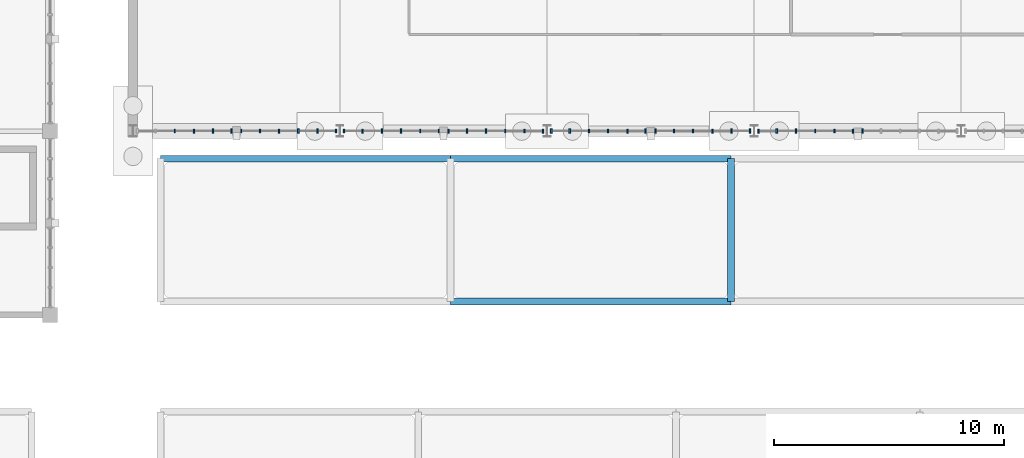
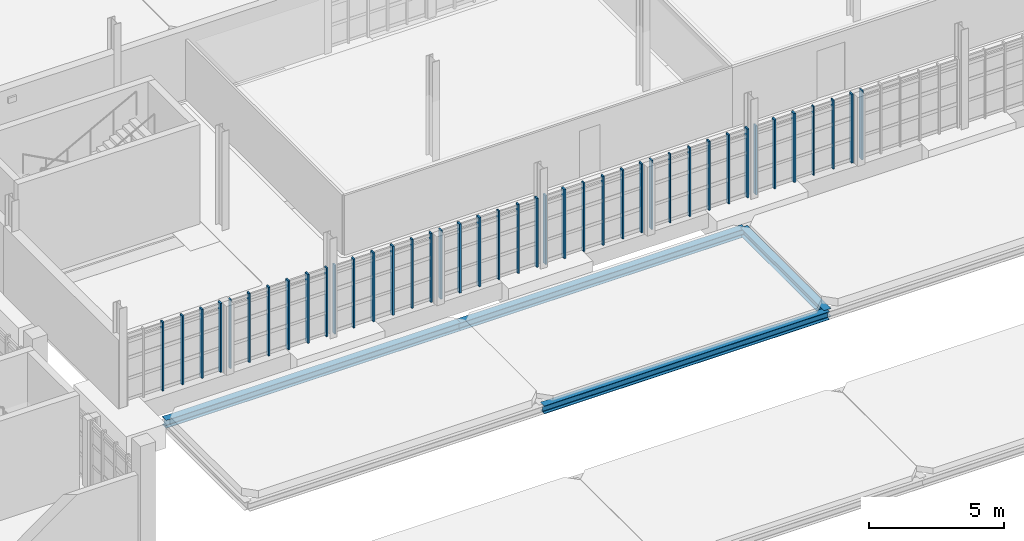
# One storey, part 29 of 125: 41 members, 4 beams, 8 elements without a shape of their own.
"""IFC4 building model written with IfcOpenShell, lengths in metres."""

from ifc_helpers import new_model, si_unit, direction, frame, origin, origin_2d, place, context, subcontext, project, spatial, rectangle, i_section, extrude, material, material_profile, profile_set, type_object, element, aggregate, save


model = new_model("IFC4")

# Units and contexts
model_context = context("Model", 3, precision=1e-05, world=origin(), true_north=direction((0.0, 1.0)))
body_context = subcontext(model_context, "Body", "Model", "MODEL_VIEW")
ifc_project = project(units=[si_unit("LENGTHUNIT", "METRE"), si_unit("AREAUNIT", "SQUARE_METRE"), si_unit("VOLUMEUNIT", "CUBIC_METRE"), si_unit("PLANEANGLEUNIT", "RADIAN"), si_unit("MASSUNIT", "GRAM", prefix="KILO")], contexts=[model_context])

# Site, building, storey
site_placement = place(None, origin())
site = spatial("IfcSite", under=ifc_project, at=site_placement, CompositionType="ELEMENT")
building_placement = place(site_placement, origin())
building = spatial("IfcBuilding", under=site, at=building_placement, Name="Serraforn Aerial Cableway Station", CompositionType="ELEMENT")
storey_placement = place(building_placement, frame((0.0, 0.0, 4.5)))
storey = spatial("IfcBuildingStorey", under=building, at=storey_placement, Name="L01", CompositionType="ELEMENT", Elevation=4.5)

# Beams
ifc_material_1 = material(Name="Steel S355JR", Category="steel")
ifc_material_profile_1 = material_profile(ifc_material_1, i_section(OverallWidth=0.300048828125, OverallDepth=0.360107421875, WebThickness=0.010009765625, FlangeThickness=0.017578125, FilletRadius=0.027099609375, at=origin_2d()), Name="HEA 360")
ifc_profile_set_1 = profile_set([ifc_material_profile_1], Name="Steel S355JR")
beam_type = type_object("IfcBeamType", Name="BM-ST-HEA360", PredefinedType="BEAM", material=ifc_profile_set_1)
beam_1_placement = place(storey_placement, frame((95.39990234375, 24.800048828125, -0.52001953125), z_axis=(1.0, 0.0, 0.0), x_axis=(0.0, 1.0, 0.0)))
element("IfcBeam", 1, at=beam_1_placement, inside=storey, type_object=beam_type, Name="Colonnade Spandrel Beam CX-1-2", PredefinedType="BEAM", context=body_context, shape_type="SweptSolid", body=[
    extrude(i_section(OverallWidth=0.300048828125, OverallDepth=0.360107421875, WebThickness=0.010009765625, FlangeThickness=0.017578125, FilletRadius=0.027099609375, at=origin_2d()), origin(), (0.0, 0.0, 1.0), 12.60009765625),
])
for number, where, z_axis, x_axis, name in (
    (2, (108.0, 18.60009765625, -0.52001953125), (1.0, 0.0, 0.0), (0.0, 1.0, 0.0), "Colonnade Spandrel Beam CX-2-1"),
    (3, (108.0, 24.800048828125, -0.52001953125), (1.0, 0.0, 0.0), (0.0, 1.0, 0.0), "Colonnade Spandrel Beam CX-2-2"),
):
    element("IfcBeam", number, at=place(storey_placement, frame(where, z_axis=z_axis, x_axis=x_axis)), inside=storey, type_object=beam_type, Name=name, PredefinedType="BEAM", context=body_context, shape_type="SweptSolid", body=[
        extrude(i_section(OverallWidth=0.300048828125, OverallDepth=0.360107421875, WebThickness=0.010009765625, FlangeThickness=0.017578125, FilletRadius=0.027099609375, at=origin_2d()), origin(), (0.0, 0.0, 1.0), 12.199951171875),
    ])
beam_2_placement = place(storey_placement, frame((120.199951171875, 18.60009765625, -0.52001953125), z_axis=(0.0, 1.0, 0.0), x_axis=(-1.0, 0.0, 0.0)))
element("IfcBeam", 4, at=beam_2_placement, inside=storey, type_object=beam_type, Name="Colonnade Cross Beam CY-3-1", PredefinedType="BEAM", context=body_context, shape_type="SweptSolid", body=[
    extrude(i_section(OverallWidth=0.300048828125, OverallDepth=0.360107421875, WebThickness=0.010009765625, FlangeThickness=0.017578125, FilletRadius=0.027099609375, at=origin_2d()), origin(), (0.0, 0.0, 1.0), 6.199951171875),
])

# Curtain wall, members
ifc_material_2 = material(Name="Anodised bronze unitised curtain wall")
curtain_wall_type_1 = type_object("IfcCurtainWallType", Name="CW-SYS-10", PredefinedType="USERDEFINED", material=ifc_material_2)
curtain_wall_1_placement = place(storey_placement, origin())
curtain_wall_1 = element("IfcCurtainWall", 5, at=curtain_wall_1_placement, inside=storey, type_object=curtain_wall_type_1, Name="Unitised Curtain Wall CW-EL-L01-S1B", ObjectType="UNITISED CURTAIN WALL", PredefinedType="USERDEFINED")
ifc_material_3 = material(Name="Anodised bronze extruded aluminium", Category="aluminium")
ifc_material_profile_2 = material_profile(ifc_material_3, rectangle(XDim=0.054931640625, YDim=0.139892578125, at=origin_2d()), Name="CW MULLION 55x140")
ifc_profile_set_2 = profile_set([ifc_material_profile_2], Name="Anodised bronze extruded aluminium")
member_type_1 = type_object("IfcMemberType", Name="CW-MUL-1", PredefinedType="MULLION", material=ifc_profile_set_2)
member_1_placement = place(storey_placement, frame((98.907470703125, 26.0, 0.0), z_axis=(0.0, 0.0, 1.0), x_axis=(1.0, 0.0, 0.0)))
member_1 = element("IfcMember", 6, at=member_1_placement, type_object=member_type_1, Name="Curtain Wall Mullion CW-EL-L01-S1B-M1", PredefinedType="MULLION", context=body_context, shape_type="SweptSolid", body=[
    extrude(rectangle(XDim=0.054931640625, YDim=0.139892578125, at=origin_2d()), origin(), (0.0, 0.0, 1.0), 3.1201171875),
])
member_2_placement = place(storey_placement, frame((103.0244140625, 26.0, 0.0), z_axis=(0.0, 0.0, 1.0), x_axis=(1.0, 0.0, 0.0)))
member_2 = element("IfcMember", 7, at=member_2_placement, type_object=member_type_1, Name="Curtain Wall Mullion CW-EL-L01-S1B-M6", PredefinedType="MULLION", context=body_context, shape_type="SweptSolid", body=[
    extrude(rectangle(XDim=0.054931640625, YDim=0.139892578125, at=origin_2d()), origin(), (0.0, 0.0, 1.0), 3.1201171875),
])

# Curtain wall, member
curtain_wall_type_2 = type_object("IfcCurtainWallType", Name="CW-SYS-11", PredefinedType="USERDEFINED", material=ifc_material_2)
curtain_wall_2_placement = place(storey_placement, origin())
curtain_wall_2 = element("IfcCurtainWall", 8, at=curtain_wall_2_placement, inside=storey, type_object=curtain_wall_type_2, Name="Unitised Curtain Wall CW-EL-L01-S2A", ObjectType="UNITISED CURTAIN WALL", PredefinedType="USERDEFINED")
member_3_placement = place(storey_placement, frame((106.685546875, 26.0, 0.0), z_axis=(0.0, 0.0, 1.0), x_axis=(1.0, 0.0, 0.0)))
member_3 = element("IfcMember", 9, at=member_3_placement, type_object=member_type_1, Name="Curtain Wall Mullion CW-EL-L01-S2A-M5", PredefinedType="MULLION", context=body_context, shape_type="SweptSolid", body=[
    extrude(rectangle(XDim=0.054931640625, YDim=0.139892578125, at=origin_2d()), origin(), (0.0, 0.0, 1.0), 3.1201171875),
])

curtain_wall_type_3 = type_object("IfcCurtainWallType", Name="CW-SYS-12", PredefinedType="USERDEFINED", material=ifc_material_2)
curtain_wall_3_placement = place(storey_placement, origin())
curtain_wall_3 = element("IfcCurtainWall", 10, at=curtain_wall_3_placement, inside=storey, type_object=curtain_wall_type_3, Name="Unitised Curtain Wall CW-EL-L01-S2B", ObjectType="UNITISED CURTAIN WALL", PredefinedType="USERDEFINED")
member_4_placement = place(storey_placement, frame((110.38330078125, 26.0, 0.0), z_axis=(0.0, 0.0, 1.0), x_axis=(1.0, 0.0, 0.0)))
member_4 = element("IfcMember", 11, at=member_4_placement, type_object=member_type_1, Name="Curtain Wall Mullion CW-EL-L01-S2B-M4", PredefinedType="MULLION", context=body_context, shape_type="SweptSolid", body=[
    extrude(rectangle(XDim=0.054931640625, YDim=0.139892578125, at=origin_2d()), origin(), (0.0, 0.0, 1.0), 3.1201171875),
])

curtain_wall_type_4 = type_object("IfcCurtainWallType", Name="CW-SYS-13", PredefinedType="USERDEFINED", material=ifc_material_2)
curtain_wall_4_placement = place(storey_placement, origin())
curtain_wall_4 = element("IfcCurtainWall", 12, at=curtain_wall_4_placement, inside=storey, type_object=curtain_wall_type_4, Name="Unitised Curtain Wall CW-EL-L01-S3A", ObjectType="UNITISED CURTAIN WALL", PredefinedType="USERDEFINED")
member_5_placement = place(storey_placement, frame((114.016845703125, 26.0, 0.0), z_axis=(0.0, 0.0, 1.0), x_axis=(1.0, 0.0, 0.0)))
member_5 = element("IfcMember", 13, at=member_5_placement, type_object=member_type_1, Name="Curtain Wall Mullion CW-EL-L01-S3A-M3", PredefinedType="MULLION", context=body_context, shape_type="SweptSolid", body=[
    extrude(rectangle(XDim=0.054931640625, YDim=0.139892578125, at=origin_2d()), origin(), (0.0, 0.0, 1.0), 3.1201171875),
])

curtain_wall_type_5 = type_object("IfcCurtainWallType", Name="CW-SYS-14", PredefinedType="USERDEFINED", material=ifc_material_2)
curtain_wall_5_placement = place(storey_placement, origin())
curtain_wall_5 = element("IfcCurtainWall", 14, at=curtain_wall_5_placement, inside=storey, type_object=curtain_wall_type_5, Name="Unitised Curtain Wall CW-EL-L01-S3B", ObjectType="UNITISED CURTAIN WALL", PredefinedType="USERDEFINED")
member_6_placement = place(storey_placement, frame((117.71435546875, 26.0, 0.0), z_axis=(0.0, 0.0, 1.0), x_axis=(1.0, 0.0, 0.0)))
member_6 = element("IfcMember", 15, at=member_6_placement, type_object=member_type_1, Name="Curtain Wall Mullion CW-EL-L01-S3B-M2", PredefinedType="MULLION", context=body_context, shape_type="SweptSolid", body=[
    extrude(rectangle(XDim=0.054931640625, YDim=0.139892578125, at=origin_2d()), origin(), (0.0, 0.0, 1.0), 3.1201171875),
])

curtain_wall_type_6 = type_object("IfcCurtainWallType", Name="CW-SYS-17", PredefinedType="USERDEFINED", material=ifc_material_2)
curtain_wall_6_placement = place(storey_placement, origin())
curtain_wall_6 = element("IfcCurtainWall", 16, at=curtain_wall_6_placement, inside=storey, type_object=curtain_wall_type_6, Name="Unitised Curtain Wall CW-EL-L01-S4A", ObjectType="UNITISED CURTAIN WALL", PredefinedType="USERDEFINED")
member_7_placement = place(storey_placement, frame((123.851318359375, 26.0, 0.0), z_axis=(0.0, 0.0, 1.0), x_axis=(1.0, 0.0, 0.0)))
member_7 = element("IfcMember", 17, at=member_7_placement, type_object=member_type_1, Name="Curtain Wall Mullion CW-EL-L01-S4A-M4", PredefinedType="MULLION", context=body_context, shape_type="SweptSolid", body=[
    extrude(rectangle(XDim=0.054931640625, YDim=0.139892578125, at=origin_2d()), origin(), (0.0, 0.0, 1.0), 3.1201171875),
])

curtain_wall_type_7 = type_object("IfcCurtainWallType", Name="CW-SYS-9", PredefinedType="USERDEFINED", material=ifc_material_2)
curtain_wall_7_placement = place(storey_placement, origin())
curtain_wall_7 = element("IfcCurtainWall", 18, at=curtain_wall_7_placement, inside=storey, type_object=curtain_wall_type_7, Name="Unitised Curtain Wall CW-EL-L01-S1A", ObjectType="UNITISED CURTAIN WALL", PredefinedType="USERDEFINED")
ifc_material_profile_3 = material_profile(ifc_material_3, rectangle(XDim=0.06005859375, YDim=0.159912109375, at=origin_2d()), Name="CW MULLION 60x160")
ifc_profile_set_3 = profile_set([ifc_material_profile_3], Name="Anodised bronze extruded aluminium")
member_type_2 = type_object("IfcMemberType", Name="CW-MUL-2", PredefinedType="MULLION", material=ifc_profile_set_3)
member_8_placement = place(storey_placement, frame((96.016845703125, 26.0, 0.0), z_axis=(0.0, 0.0, 1.0), x_axis=(1.0, 0.0, 0.0)))
member_8 = element("IfcMember", 19, at=member_8_placement, type_object=member_type_2, Name="Curtain Wall Mullion CW-EL-L01-S1A-M3", PredefinedType="MULLION", context=body_context, shape_type="SweptSolid", body=[
    extrude(rectangle(XDim=0.06005859375, YDim=0.159912109375, at=origin_2d()), origin(), (0.0, 0.0, 1.0), 3.1201171875),
])

# Member
member_9_placement = place(storey_placement, frame((99.71435546875, 26.0, 0.0), z_axis=(0.0, 0.0, 1.0), x_axis=(1.0, 0.0, 0.0)))
member_9 = element("IfcMember", 20, at=member_9_placement, type_object=member_type_2, Name="Curtain Wall Mullion CW-EL-L01-S1B-M2", PredefinedType="MULLION", context=body_context, shape_type="SweptSolid", body=[
    extrude(rectangle(XDim=0.06005859375, YDim=0.159912109375, at=origin_2d()), origin(), (0.0, 0.0, 1.0), 3.1201171875),
])

member_10_placement = place(storey_placement, frame((103.3779296875, 26.0, 0.0), z_axis=(0.0, 0.0, 1.0), x_axis=(1.0, 0.0, 0.0)))
member_10 = element("IfcMember", 21, at=member_10_placement, type_object=member_type_2, Name="Curtain Wall Mullion CW-EL-L01-S2A-M1", PredefinedType="MULLION", context=body_context, shape_type="SweptSolid", body=[
    extrude(rectangle(XDim=0.06005859375, YDim=0.159912109375, at=origin_2d()), origin(), (0.0, 0.0, 1.0), 3.1201171875),
])

member_11_placement = place(storey_placement, frame((107.489990234375, 26.0, 0.0), z_axis=(0.0, 0.0, 1.0), x_axis=(1.0, 0.0, 0.0)))
member_11 = element("IfcMember", 22, at=member_11_placement, type_object=member_type_2, Name="Curtain Wall Mullion CW-EL-L01-S2A-M6", PredefinedType="MULLION", context=body_context, shape_type="SweptSolid", body=[
    extrude(rectangle(XDim=0.06005859375, YDim=0.159912109375, at=origin_2d()), origin(), (0.0, 0.0, 1.0), 3.1201171875),
])

member_12_placement = place(storey_placement, frame((111.217529296875, 26.0, 0.0), z_axis=(0.0, 0.0, 1.0), x_axis=(1.0, 0.0, 0.0)))
member_12 = element("IfcMember", 23, at=member_12_placement, type_object=member_type_2, Name="Curtain Wall Mullion CW-EL-L01-S2B-M5", PredefinedType="MULLION", context=body_context, shape_type="SweptSolid", body=[
    extrude(rectangle(XDim=0.06005859375, YDim=0.159912109375, at=origin_2d()), origin(), (0.0, 0.0, 1.0), 3.1201171875),
])

member_13_placement = place(storey_placement, frame((114.851318359375, 26.0, 0.0), z_axis=(0.0, 0.0, 1.0), x_axis=(1.0, 0.0, 0.0)))
member_13 = element("IfcMember", 24, at=member_13_placement, type_object=member_type_2, Name="Curtain Wall Mullion CW-EL-L01-S3A-M4", PredefinedType="MULLION", context=body_context, shape_type="SweptSolid", body=[
    extrude(rectangle(XDim=0.06005859375, YDim=0.159912109375, at=origin_2d()), origin(), (0.0, 0.0, 1.0), 3.1201171875),
])

member_14_placement = place(storey_placement, frame((118.548828125, 26.0, 0.0), z_axis=(0.0, 0.0, 1.0), x_axis=(1.0, 0.0, 0.0)))
member_14 = element("IfcMember", 25, at=member_14_placement, type_object=member_type_2, Name="Curtain Wall Mullion CW-EL-L01-S3B-M3", PredefinedType="MULLION", context=body_context, shape_type="SweptSolid", body=[
    extrude(rectangle(XDim=0.06005859375, YDim=0.159912109375, at=origin_2d()), origin(), (0.0, 0.0, 1.0), 3.1201171875),
])

member_15_placement = place(storey_placement, frame((124.685546875, 26.0, 0.0), z_axis=(0.0, 0.0, 1.0), x_axis=(1.0, 0.0, 0.0)))
member_15 = element("IfcMember", 26, at=member_15_placement, type_object=member_type_2, Name="Curtain Wall Mullion CW-EL-L01-S4A-M5", PredefinedType="MULLION", context=body_context, shape_type="SweptSolid", body=[
    extrude(rectangle(XDim=0.06005859375, YDim=0.159912109375, at=origin_2d()), origin(), (0.0, 0.0, 1.0), 3.1201171875),
])

ifc_material_profile_4 = material_profile(ifc_material_3, rectangle(XDim=0.06494140625, YDim=0.175048828125, at=origin_2d()), Name="CW MULLION 65x175")
ifc_profile_set_4 = profile_set([ifc_material_profile_4], Name="Anodised bronze extruded aluminium")
member_type_3 = type_object("IfcMemberType", Name="CW-MUL-3", PredefinedType="MULLION", material=ifc_profile_set_4)
member_16_placement = place(storey_placement, frame((96.851318359375, 26.0, 0.0), z_axis=(0.0, 0.0, 1.0), x_axis=(1.0, 0.0, 0.0)))
member_16 = element("IfcMember", 27, at=member_16_placement, type_object=member_type_3, Name="Curtain Wall Mullion CW-EL-L01-S1A-M4", PredefinedType="MULLION", context=body_context, shape_type="SweptSolid", body=[
    extrude(rectangle(XDim=0.06494140625, YDim=0.175048828125, at=origin_2d()), origin(), (0.0, 0.0, 1.0), 3.1201171875),
])

member_17_placement = place(storey_placement, frame((100.548828125, 26.0, 0.0), z_axis=(0.0, 0.0, 1.0), x_axis=(1.0, 0.0, 0.0)))
member_17 = element("IfcMember", 28, at=member_17_placement, type_object=member_type_3, Name="Curtain Wall Mullion CW-EL-L01-S1B-M3", PredefinedType="MULLION", context=body_context, shape_type="SweptSolid", body=[
    extrude(rectangle(XDim=0.06494140625, YDim=0.175048828125, at=origin_2d()), origin(), (0.0, 0.0, 1.0), 3.1201171875),
])

member_18_placement = place(storey_placement, frame((104.182373046875, 26.0, 0.0), z_axis=(0.0, 0.0, 1.0), x_axis=(1.0, 0.0, 0.0)))
member_18 = element("IfcMember", 29, at=member_18_placement, type_object=member_type_3, Name="Curtain Wall Mullion CW-EL-L01-S2A-M2", PredefinedType="MULLION", context=body_context, shape_type="SweptSolid", body=[
    extrude(rectangle(XDim=0.06494140625, YDim=0.175048828125, at=origin_2d()), origin(), (0.0, 0.0, 1.0), 3.1201171875),
])

member_19_placement = place(storey_placement, frame((107.91259765625, 26.0, 0.0), z_axis=(0.0, 0.0, 1.0), x_axis=(1.0, 0.0, 0.0)))
member_19 = element("IfcMember", 30, at=member_19_placement, type_object=member_type_3, Name="Curtain Wall Mullion CW-EL-L01-S2B-M1", PredefinedType="MULLION", context=body_context, shape_type="SweptSolid", body=[
    extrude(rectangle(XDim=0.06494140625, YDim=0.175048828125, at=origin_2d()), origin(), (0.0, 0.0, 1.0), 3.1201171875),
])

member_20_placement = place(storey_placement, frame((112.01953125, 26.0, 0.0), z_axis=(0.0, 0.0, 1.0), x_axis=(1.0, 0.0, 0.0)))
member_20 = element("IfcMember", 31, at=member_20_placement, type_object=member_type_3, Name="Curtain Wall Mullion CW-EL-L01-S2B-M6", PredefinedType="MULLION", context=body_context, shape_type="SweptSolid", body=[
    extrude(rectangle(XDim=0.06494140625, YDim=0.175048828125, at=origin_2d()), origin(), (0.0, 0.0, 1.0), 3.1201171875),
])

member_21_placement = place(storey_placement, frame((115.685546875, 26.0, 0.0), z_axis=(0.0, 0.0, 1.0), x_axis=(1.0, 0.0, 0.0)))
member_21 = element("IfcMember", 32, at=member_21_placement, type_object=member_type_3, Name="Curtain Wall Mullion CW-EL-L01-S3A-M5", PredefinedType="MULLION", context=body_context, shape_type="SweptSolid", body=[
    extrude(rectangle(XDim=0.06494140625, YDim=0.175048828125, at=origin_2d()), origin(), (0.0, 0.0, 1.0), 3.1201171875),
])

member_22_placement = place(storey_placement, frame((119.38330078125, 26.0, 0.0), z_axis=(0.0, 0.0, 1.0), x_axis=(1.0, 0.0, 0.0)))
member_22 = element("IfcMember", 33, at=member_22_placement, type_object=member_type_3, Name="Curtain Wall Mullion CW-EL-L01-S3B-M4", PredefinedType="MULLION", context=body_context, shape_type="SweptSolid", body=[
    extrude(rectangle(XDim=0.06494140625, YDim=0.175048828125, at=origin_2d()), origin(), (0.0, 0.0, 1.0), 3.1201171875),
])

member_23_placement = place(storey_placement, frame((121.380615234375, 26.0, 0.0), z_axis=(0.0, 0.0, 1.0), x_axis=(1.0, 0.0, 0.0)))
member_23 = element("IfcMember", 34, at=member_23_placement, type_object=member_type_3, Name="Curtain Wall Mullion CW-EL-L01-S4A-M1", PredefinedType="MULLION", context=body_context, shape_type="SweptSolid", body=[
    extrude(rectangle(XDim=0.06494140625, YDim=0.175048828125, at=origin_2d()), origin(), (0.0, 0.0, 1.0), 3.1201171875),
])

member_24_placement = place(storey_placement, frame((125.487548828125, 26.0, 0.0), z_axis=(0.0, 0.0, 1.0), x_axis=(1.0, 0.0, 0.0)))
member_24 = element("IfcMember", 35, at=member_24_placement, type_object=member_type_3, Name="Curtain Wall Mullion CW-EL-L01-S4A-M6", PredefinedType="MULLION", context=body_context, shape_type="SweptSolid", body=[
    extrude(rectangle(XDim=0.06494140625, YDim=0.175048828125, at=origin_2d()), origin(), (0.0, 0.0, 1.0), 3.1201171875),
])

ifc_material_profile_5 = material_profile(ifc_material_3, rectangle(XDim=0.070068359375, YDim=0.18994140625, at=origin_2d()), Name="CW MULLION 70x190")
ifc_profile_set_5 = profile_set([ifc_material_profile_5], Name="Anodised bronze extruded aluminium")
member_type_4 = type_object("IfcMemberType", Name="CW-MUL-4", PredefinedType="MULLION", material=ifc_profile_set_5)
member_25_placement = place(storey_placement, frame((97.685546875, 26.0, 0.0), z_axis=(0.0, 0.0, 1.0), x_axis=(1.0, 0.0, 0.0)))
member_25 = element("IfcMember", 36, at=member_25_placement, type_object=member_type_4, Name="Curtain Wall Mullion CW-EL-L01-S1A-M5", PredefinedType="MULLION", context=body_context, shape_type="SweptSolid", body=[
    extrude(rectangle(XDim=0.070068359375, YDim=0.18994140625, at=origin_2d()), origin(), (0.0, 0.0, 1.0), 3.1201171875),
])

member_26_placement = place(storey_placement, frame((101.38330078125, 26.0, 0.0), z_axis=(0.0, 0.0, 1.0), x_axis=(1.0, 0.0, 0.0)))
member_26 = element("IfcMember", 37, at=member_26_placement, type_object=member_type_4, Name="Curtain Wall Mullion CW-EL-L01-S1B-M4", PredefinedType="MULLION", context=body_context, shape_type="SweptSolid", body=[
    extrude(rectangle(XDim=0.070068359375, YDim=0.18994140625, at=origin_2d()), origin(), (0.0, 0.0, 1.0), 3.1201171875),
])

member_27_placement = place(storey_placement, frame((105.016845703125, 26.0, 0.0), z_axis=(0.0, 0.0, 1.0), x_axis=(1.0, 0.0, 0.0)))
member_27 = element("IfcMember", 38, at=member_27_placement, type_object=member_type_4, Name="Curtain Wall Mullion CW-EL-L01-S2A-M3", PredefinedType="MULLION", context=body_context, shape_type="SweptSolid", body=[
    extrude(rectangle(XDim=0.070068359375, YDim=0.18994140625, at=origin_2d()), origin(), (0.0, 0.0, 1.0), 3.1201171875),
])

member_28_placement = place(storey_placement, frame((108.71435546875, 26.0, 0.0), z_axis=(0.0, 0.0, 1.0), x_axis=(1.0, 0.0, 0.0)))
member_28 = element("IfcMember", 39, at=member_28_placement, type_object=member_type_4, Name="Curtain Wall Mullion CW-EL-L01-S2B-M2", PredefinedType="MULLION", context=body_context, shape_type="SweptSolid", body=[
    extrude(rectangle(XDim=0.070068359375, YDim=0.18994140625, at=origin_2d()), origin(), (0.0, 0.0, 1.0), 3.1201171875),
])

member_29_placement = place(storey_placement, frame((112.383056640625, 26.0, 0.0), z_axis=(0.0, 0.0, 1.0), x_axis=(1.0, 0.0, 0.0)))
member_29 = element("IfcMember", 40, at=member_29_placement, type_object=member_type_4, Name="Curtain Wall Mullion CW-EL-L01-S3A-M1", PredefinedType="MULLION", context=body_context, shape_type="SweptSolid", body=[
    extrude(rectangle(XDim=0.070068359375, YDim=0.18994140625, at=origin_2d()), origin(), (0.0, 0.0, 1.0), 3.1201171875),
])

member_30_placement = place(storey_placement, frame((116.485107421875, 26.0, 0.0), z_axis=(0.0, 0.0, 1.0), x_axis=(1.0, 0.0, 0.0)))
member_30 = element("IfcMember", 41, at=member_30_placement, type_object=member_type_4, Name="Curtain Wall Mullion CW-EL-L01-S3A-M6", PredefinedType="MULLION", context=body_context, shape_type="SweptSolid", body=[
    extrude(rectangle(XDim=0.070068359375, YDim=0.18994140625, at=origin_2d()), origin(), (0.0, 0.0, 1.0), 3.1201171875),
])

member_31_placement = place(storey_placement, frame((120.217529296875, 26.0, 0.0), z_axis=(0.0, 0.0, 1.0), x_axis=(1.0, 0.0, 0.0)))
member_31 = element("IfcMember", 42, at=member_31_placement, type_object=member_type_4, Name="Curtain Wall Mullion CW-EL-L01-S3B-M5", PredefinedType="MULLION", context=body_context, shape_type="SweptSolid", body=[
    extrude(rectangle(XDim=0.070068359375, YDim=0.18994140625, at=origin_2d()), origin(), (0.0, 0.0, 1.0), 3.1201171875),
])

member_32_placement = place(storey_placement, frame((122.182373046875, 26.0, 0.0), z_axis=(0.0, 0.0, 1.0), x_axis=(1.0, 0.0, 0.0)))
member_32 = element("IfcMember", 43, at=member_32_placement, type_object=member_type_4, Name="Curtain Wall Mullion CW-EL-L01-S4A-M2", PredefinedType="MULLION", context=body_context, shape_type="SweptSolid", body=[
    extrude(rectangle(XDim=0.070068359375, YDim=0.18994140625, at=origin_2d()), origin(), (0.0, 0.0, 1.0), 3.1201171875),
])

# Curtain wall, member
curtain_wall_type_8 = type_object("IfcCurtainWallType", Name="CW-SYS-18", PredefinedType="USERDEFINED", material=ifc_material_2)
curtain_wall_8_placement = place(storey_placement, origin())
curtain_wall_8 = element("IfcCurtainWall", 44, at=curtain_wall_8_placement, inside=storey, type_object=curtain_wall_type_8, Name="Unitised Curtain Wall CW-EL-L01-S4B", ObjectType="UNITISED CURTAIN WALL", PredefinedType="USERDEFINED")
member_33_placement = place(storey_placement, frame((125.9150390625, 26.0, 0.0), z_axis=(0.0, 0.0, 1.0), x_axis=(1.0, 0.0, 0.0)))
member_33 = element("IfcMember", 45, at=member_33_placement, type_object=member_type_4, Name="Curtain Wall Mullion CW-EL-L01-S4B-M1", PredefinedType="MULLION", context=body_context, shape_type="SweptSolid", body=[
    extrude(rectangle(XDim=0.070068359375, YDim=0.18994140625, at=origin_2d()), origin(), (0.0, 0.0, 1.0), 3.1201171875),
])
aggregate(curtain_wall_8, [member_33])

# Member
ifc_material_profile_6 = material_profile(ifc_material_3, rectangle(XDim=0.074951171875, YDim=0.199951171875, at=origin_2d()), Name="CW MULLION 75x200")
ifc_profile_set_6 = profile_set([ifc_material_profile_6], Name="Anodised bronze extruded aluminium")
member_type_5 = type_object("IfcMemberType", Name="CW-MUL-5", PredefinedType="MULLION", material=ifc_profile_set_6)
member_34_placement = place(storey_placement, frame((98.482421875, 26.0, 0.0), z_axis=(0.0, 0.0, 1.0), x_axis=(1.0, 0.0, 0.0)))
member_34 = element("IfcMember", 46, at=member_34_placement, type_object=member_type_5, Name="Curtain Wall Mullion CW-EL-L01-S1A-M6", PredefinedType="MULLION", context=body_context, shape_type="SweptSolid", body=[
    extrude(rectangle(XDim=0.074951171875, YDim=0.199951171875, at=origin_2d()), origin(), (0.0, 0.0, 1.0), 3.1201171875),
])

aggregate(curtain_wall_7, [member_8, member_16, member_25, member_34])

member_35_placement = place(storey_placement, frame((102.217529296875, 26.0, 0.0), z_axis=(0.0, 0.0, 1.0), x_axis=(1.0, 0.0, 0.0)))
member_35 = element("IfcMember", 47, at=member_35_placement, type_object=member_type_5, Name="Curtain Wall Mullion CW-EL-L01-S1B-M5", PredefinedType="MULLION", context=body_context, shape_type="SweptSolid", body=[
    extrude(rectangle(XDim=0.074951171875, YDim=0.199951171875, at=origin_2d()), origin(), (0.0, 0.0, 1.0), 3.1201171875),
])

aggregate(curtain_wall_1, [member_1, member_9, member_17, member_26, member_35, member_2])

member_36_placement = place(storey_placement, frame((105.851318359375, 26.0, 0.0), z_axis=(0.0, 0.0, 1.0), x_axis=(1.0, 0.0, 0.0)))
member_36 = element("IfcMember", 48, at=member_36_placement, type_object=member_type_5, Name="Curtain Wall Mullion CW-EL-L01-S2A-M4", PredefinedType="MULLION", context=body_context, shape_type="SweptSolid", body=[
    extrude(rectangle(XDim=0.074951171875, YDim=0.199951171875, at=origin_2d()), origin(), (0.0, 0.0, 1.0), 3.1201171875),
])

aggregate(curtain_wall_2, [member_10, member_18, member_27, member_36, member_3, member_11])

member_37_placement = place(storey_placement, frame((109.548828125, 26.0, 0.0), z_axis=(0.0, 0.0, 1.0), x_axis=(1.0, 0.0, 0.0)))
member_37 = element("IfcMember", 49, at=member_37_placement, type_object=member_type_5, Name="Curtain Wall Mullion CW-EL-L01-S2B-M3", PredefinedType="MULLION", context=body_context, shape_type="SweptSolid", body=[
    extrude(rectangle(XDim=0.074951171875, YDim=0.199951171875, at=origin_2d()), origin(), (0.0, 0.0, 1.0), 3.1201171875),
])

aggregate(curtain_wall_3, [member_19, member_28, member_37, member_4, member_12, member_20])

member_38_placement = place(storey_placement, frame((113.182373046875, 26.0, 0.0), z_axis=(0.0, 0.0, 1.0), x_axis=(1.0, 0.0, 0.0)))
member_38 = element("IfcMember", 50, at=member_38_placement, type_object=member_type_5, Name="Curtain Wall Mullion CW-EL-L01-S3A-M2", PredefinedType="MULLION", context=body_context, shape_type="SweptSolid", body=[
    extrude(rectangle(XDim=0.074951171875, YDim=0.199951171875, at=origin_2d()), origin(), (0.0, 0.0, 1.0), 3.1201171875),
])

aggregate(curtain_wall_4, [member_29, member_38, member_5, member_13, member_21, member_30])

member_39_placement = place(storey_placement, frame((116.91748046875, 26.0, 0.0), z_axis=(0.0, 0.0, 1.0), x_axis=(1.0, 0.0, 0.0)))
member_39 = element("IfcMember", 51, at=member_39_placement, type_object=member_type_5, Name="Curtain Wall Mullion CW-EL-L01-S3B-M1", PredefinedType="MULLION", context=body_context, shape_type="SweptSolid", body=[
    extrude(rectangle(XDim=0.074951171875, YDim=0.199951171875, at=origin_2d()), origin(), (0.0, 0.0, 1.0), 3.1201171875),
])

member_40_placement = place(storey_placement, frame((121.014404296875, 26.0, 0.0), z_axis=(0.0, 0.0, 1.0), x_axis=(1.0, 0.0, 0.0)))
member_40 = element("IfcMember", 52, at=member_40_placement, type_object=member_type_5, Name="Curtain Wall Mullion CW-EL-L01-S3B-M6", PredefinedType="MULLION", context=body_context, shape_type="SweptSolid", body=[
    extrude(rectangle(XDim=0.074951171875, YDim=0.199951171875, at=origin_2d()), origin(), (0.0, 0.0, 1.0), 3.1201171875),
])

aggregate(curtain_wall_5, [member_39, member_6, member_14, member_22, member_31, member_40])

member_41_placement = place(storey_placement, frame((123.016845703125, 26.0, 0.0), z_axis=(0.0, 0.0, 1.0), x_axis=(1.0, 0.0, 0.0)))
member_41 = element("IfcMember", 53, at=member_41_placement, type_object=member_type_5, Name="Curtain Wall Mullion CW-EL-L01-S4A-M3", PredefinedType="MULLION", context=body_context, shape_type="SweptSolid", body=[
    extrude(rectangle(XDim=0.074951171875, YDim=0.199951171875, at=origin_2d()), origin(), (0.0, 0.0, 1.0), 3.1201171875),
])

aggregate(curtain_wall_6, [member_23, member_32, member_41, member_7, member_15, member_24])

save(model, "model.ifc")
